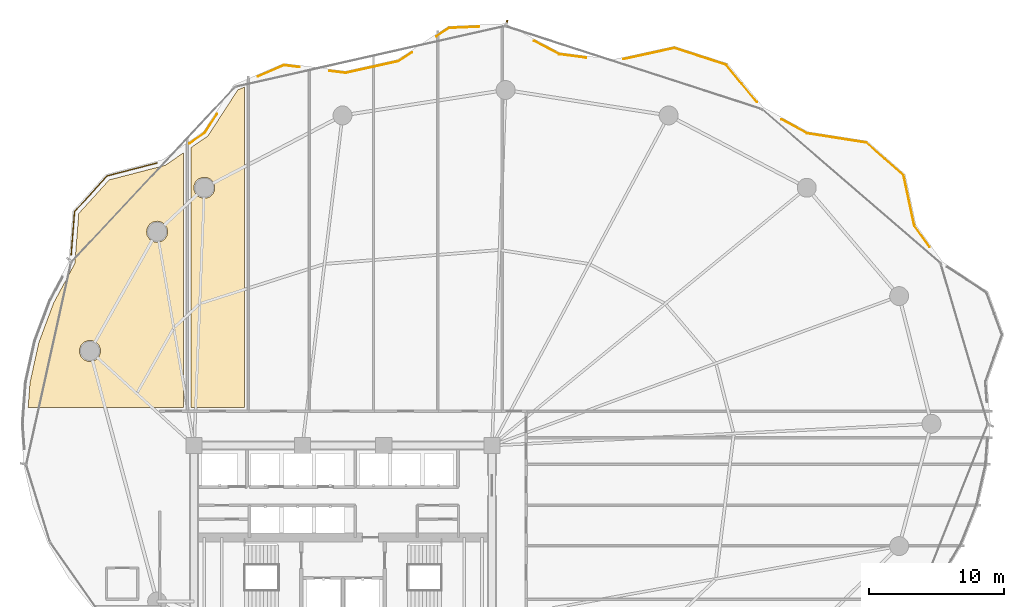
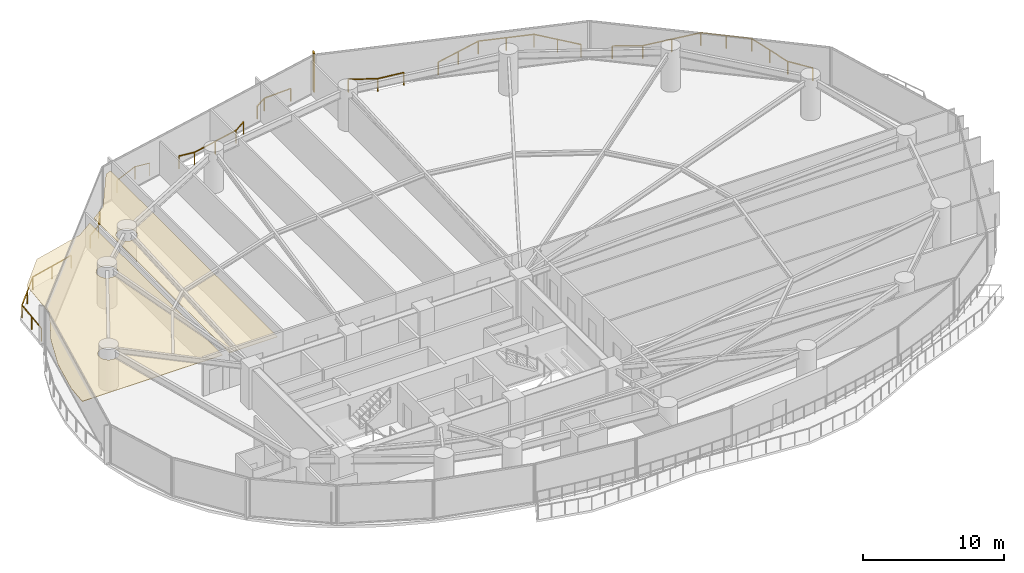
# One storey, part 32 of 33: 8 railings, 2 coverings, 1 shading device.
"""IFC4 building model written with IfcOpenShell, lengths in metres."""

from ifc_helpers import new_model, si_unit, direction, frame, origin, origin_2d, place, context, subcontext, project, spatial, polyline, rectangle, outline, extrude, material, layer, layer_set, type_object, element, save


model = new_model("IFC4")

# Units and contexts
model_context = context("Model", 3, precision=1e-05, world=origin(), true_north=direction((0.0, 1.0)))
body_context = subcontext(model_context, "Body", "Model", "MODEL_VIEW")
ifc_project = project(units=[si_unit("LENGTHUNIT", "METRE"), si_unit("AREAUNIT", "SQUARE_METRE"), si_unit("VOLUMEUNIT", "CUBIC_METRE"), si_unit("PLANEANGLEUNIT", "RADIAN"), si_unit("MASSUNIT", "GRAM", prefix="KILO")], contexts=[model_context])

# Site, building, storey
site_placement = place(None, origin())
site = spatial("IfcSite", under=ifc_project, at=site_placement, CompositionType="ELEMENT")
building_placement = place(site_placement, origin())
building = spatial("IfcBuilding", under=site, at=building_placement, Name="Kazevale Care Tower and Concert Hall", CompositionType="ELEMENT")
storey_placement = place(building_placement, frame((0.0, 0.0, 45.60009765625)))
storey = spatial("IfcBuildingStorey", under=building, at=storey_placement, Name="L11", CompositionType="ELEMENT", Elevation=45.60009765625)

# Coverings
ifc_material_1 = material(Name="Acoustic Plaster and Hinoki Wood", Category="wood")
ifc_layer = layer(ifc_material_1, 0.0400390625)
ifc_layer_set = layer_set([ifc_layer], Name="Acoustic Plaster and Hinoki Wood")
covering_type = type_object("IfcCoveringType", Name="Acoustic Perforated Wood-Gypsum Ceiling", PredefinedType="CEILING", material=ifc_layer_set)
covering_1_placement = place(storey_placement, frame((0.0, 0.0, 2.7099609375)))
element("IfcCovering", 1, at=covering_1_placement, inside=storey, type_object=covering_type, Name="clg:L11:1", PredefinedType="CEILING", context=body_context, shape_type="SweptSolid", body=[
    extrude(outline(polyline([(13.196044921875, 49.843017578125), (13.48291015625, 53.529052734375), (15.735107421875, 56.012939453125), (19.8798828125, 57.091064453125), (21.219970703125, 58.014892578125), (21.219970703125, 39.205078125), (9.7490234375, 39.205078125), (9.881103515625, 41.02392578125), (10.5400390625, 44.010986328125), (11.62890625, 46.925048828125), (13.196044921875, 49.843017578125)]), holes=[polyline([(19.990966796875, 52.47802734375), (19.822021484375, 52.73193359375), (19.568115234375, 52.90087890625), (19.27001953125, 52.9599609375), (18.971923828125, 52.90087890625), (18.718017578125, 52.73193359375), (18.549072265625, 52.47802734375), (18.489990234375, 52.179931640625), (18.549072265625, 51.882080078125), (18.718017578125, 51.6279296875), (18.971923828125, 51.458984375), (19.27001953125, 51.39990234375), (19.568115234375, 51.458984375), (19.822021484375, 51.6279296875), (19.990966796875, 51.882080078125), (20.050048828125, 52.179931640625), (19.990966796875, 52.47802734375)]), polyline([(15.074951171875, 43.531982421875), (14.958984375, 43.81298828125), (14.742919921875, 44.029052734375), (14.4619140625, 44.14501953125), (14.157958984375, 44.14501953125), (13.876953125, 44.029052734375), (13.660888671875, 43.81298828125), (13.544921875, 43.531982421875), (13.544921875, 43.22802734375), (13.660888671875, 42.947021484375), (13.876953125, 42.73095703125), (14.157958984375, 42.614990234375), (14.4619140625, 42.614990234375), (14.742919921875, 42.73095703125), (14.958984375, 42.947021484375), (15.074951171875, 43.22802734375), (15.074951171875, 43.531982421875)])]), origin(), (0.0, 0.0, 1.0), 0.0400390625),
])
covering_2_placement = place(storey_placement, frame((0.0, 0.0, 2.7099609375)))
element("IfcCovering", 2, at=covering_2_placement, inside=storey, type_object=covering_type, Name="clg:L11:2", PredefinedType="CEILING", context=body_context, shape_type="SweptSolid", body=[
    extrude(outline(polyline([(21.780029296875, 39.205078125), (21.780029296875, 58.39990234375), (23.014892578125, 59.2509765625), (25.22607421875, 62.654052734375), (25.719970703125, 62.866943359375), (25.719970703125, 39.205078125), (21.780029296875, 39.205078125)]), holes=[polyline([(23.52490234375, 55.58203125), (23.408935546875, 55.863037109375), (23.193115234375, 56.0791015625), (22.912109375, 56.195068359375), (22.60791015625, 56.195068359375), (22.326904296875, 56.0791015625), (22.111083984375, 55.863037109375), (21.9951171875, 55.58203125), (21.9951171875, 55.278076171875), (22.111083984375, 54.9970703125), (22.326904296875, 54.781005859375), (22.60791015625, 54.6650390625), (22.912109375, 54.6650390625), (23.193115234375, 54.781005859375), (23.408935546875, 54.9970703125), (23.52490234375, 55.278076171875), (23.52490234375, 55.58203125)])]), origin(), (0.0, 0.0, 1.0), 0.0400390625),
])

# Railings
ifc_material_2 = material(Name="Anodised Bronze Aluminium and Laminated Glass", Category="aluminium")
railing_type = type_object("IfcRailingType", Name="Balcony and Terrace Balustrade 1120", PredefinedType="BALUSTRADE", material=ifc_material_2)
railing_1_placement = place(storey_placement, frame((12.925048828125, 50.48291015625, 0.0)))
element("IfcRailing", 3, at=railing_1_placement, inside=storey, type_object=railing_type, Name="rail:L11:perim:2", PredefinedType="BALUSTRADE", context=body_context, shape_type="SweptSolid", body=[
    extrude(rectangle(XDim=0.048095703125, YDim=0.048095703125, at=origin_2d()), frame((0.0, 0.0, 1.09619140625), z_axis=(0.077457363228, 0.996995665428, 0.0), x_axis=(-0.996995665428, 0.077457363228, 0.0)), (0.0, 0.0, 1.0), 3.189697265625),
    extrude(rectangle(XDim=0.048095703125, YDim=0.048095703125, at=origin_2d()), frame((0.2470703125, 3.18017578125, 1.09619140625), z_axis=(0.67167834736, 0.740842896766, 0.0), x_axis=(-0.740842896766, 0.67167834736, 0.0)), (0.0, 0.0, 1.0), 3.55810546875),
    extrude(rectangle(XDim=0.048095703125, YDim=0.048095703125, at=origin_2d()), frame((2.636962890625, 5.816162109375, 1.09619140625), z_axis=(0.967833691326, 0.251590830384, 0.0), x_axis=(-0.251590830384, 0.967833691326, 0.0)), (0.0, 0.0, 1.0), 3.8271484375),
    extrude(rectangle(XDim=0.0419921875, YDim=0.0419921875, at=origin_2d()), origin(), (0.0, 0.0, 1.0), 1.072021484375),
    extrude(rectangle(XDim=0.0419921875, YDim=0.0419921875, at=origin_2d()), frame((0.12353515625, 1.590087890625, 0.0)), (0.0, 0.0, 1.0), 1.072021484375),
    extrude(rectangle(XDim=0.0419921875, YDim=0.0419921875, at=origin_2d()), frame((0.2470703125, 3.18017578125, 0.0)), (0.0, 0.0, 1.0), 1.072021484375),
    extrude(rectangle(XDim=0.0419921875, YDim=0.0419921875, at=origin_2d()), frame((1.44189453125, 4.498046875, 0.0)), (0.0, 0.0, 1.0), 1.072021484375),
    extrude(rectangle(XDim=0.0419921875, YDim=0.0419921875, at=origin_2d()), frame((2.636962890625, 5.816162109375, 0.0)), (0.0, 0.0, 1.0), 1.072021484375),
    extrude(rectangle(XDim=0.0419921875, YDim=0.0419921875, at=origin_2d()), frame((4.489013671875, 6.297607421875, 0.0)), (0.0, 0.0, 1.0), 1.072021484375),
    extrude(rectangle(XDim=0.0419921875, YDim=0.0419921875, at=origin_2d()), frame((6.341064453125, 6.779052734375, 0.0)), (0.0, 0.0, 1.0), 1.072021484375),
])
railing_2_placement = place(storey_placement, frame((21.65087890625, 58.699951171875, 0.0)))
element("IfcRailing", 4, at=railing_2_placement, inside=storey, type_object=railing_type, Name="rail:L11:perim:3", PredefinedType="BALUSTRADE", context=body_context, shape_type="SweptSolid", body=[
    extrude(rectangle(XDim=0.048095703125, YDim=0.048095703125, at=origin_2d()), frame((0.0, 0.0, 1.09619140625), z_axis=(0.823330292932, 0.56756253289, 0.0), x_axis=(-0.56756253289, 0.823330292932, 0.0)), (0.0, 0.0, 1.0), 1.37255859375),
    extrude(rectangle(XDim=0.048095703125, YDim=0.048095703125, at=origin_2d()), frame((1.130126953125, 0.779052734375, 1.09619140625), z_axis=(0.545340812874, 0.838214410407, 0.0), x_axis=(-0.838214410407, 0.545340812874, 0.0)), (0.0, 0.0, 1.0), 1.6796875),
    extrude(rectangle(XDim=0.0419921875, YDim=0.0419921875, at=origin_2d()), origin(), (0.0, 0.0, 1.0), 1.072021484375),
    extrude(rectangle(XDim=0.0419921875, YDim=0.0419921875, at=origin_2d()), frame((1.130126953125, 0.779052734375, 0.0)), (0.0, 0.0, 1.0), 1.072021484375),
    extrude(rectangle(XDim=0.0419921875, YDim=0.0419921875, at=origin_2d()), frame((2.046142578125, 2.18701171875, 0.0)), (0.0, 0.0, 1.0), 1.072021484375),
])
railing_3_placement = place(storey_placement, frame((26.70703125, 63.64306640625, 0.0)))
element("IfcRailing", 5, at=railing_3_placement, inside=storey, type_object=railing_type, Name="rail:L11:perim:4", PredefinedType="BALUSTRADE", context=body_context, shape_type="SweptSolid", body=[
    extrude(rectangle(XDim=0.048095703125, YDim=0.048095703125, at=origin_2d()), frame((0.0, 0.0, 1.09619140625), z_axis=(0.917761192616, 0.397132715007, 0.0), x_axis=(-0.397132715007, 0.917761192616, 0.0)), (0.0, 0.0, 1.0), 2.107421875),
    extrude(rectangle(XDim=0.048095703125, YDim=0.048095703125, at=origin_2d()), frame((1.93408203125, 0.8369140625, 1.09619140625), z_axis=(0.992136908777, -0.125157317977, 0.0), x_axis=(0.125157317977, 0.992136908777, 0.0)), (0.0, 0.0, 1.0), 1.15087890625),
    extrude(rectangle(XDim=0.0419921875, YDim=0.0419921875, at=origin_2d()), origin(), (0.0, 0.0, 1.0), 1.072021484375),
    extrude(rectangle(XDim=0.0419921875, YDim=0.0419921875, at=origin_2d()), frame((1.93408203125, 0.8369140625, 0.0)), (0.0, 0.0, 1.0), 1.072021484375),
    extrude(rectangle(XDim=0.0419921875, YDim=0.0419921875, at=origin_2d()), frame((3.075927734375, 0.69287109375, 0.0)), (0.0, 0.0, 1.0), 1.072021484375),
])
railing_4_placement = place(storey_placement, frame((32.001953125, 64.05810546875, 0.0)))
element("IfcRailing", 6, at=railing_4_placement, inside=storey, type_object=railing_type, Name="rail:L11:perim:5", PredefinedType="BALUSTRADE", context=body_context, shape_type="SweptSolid", body=[
    extrude(rectangle(XDim=0.048095703125, YDim=0.048095703125, at=origin_2d()), frame((0.0, 0.0, 1.09619140625), z_axis=(0.992119329578, -0.125296591644, 0.0), x_axis=(0.125296591644, 0.992119329578, 0.0)), (0.0, 0.0, 1.0), 1.1904296875),
    extrude(rectangle(XDim=0.048095703125, YDim=0.048095703125, at=origin_2d()), frame((1.18115234375, -0.149169921875, 1.09619140625), z_axis=(0.976178445537, 0.216969220097, 0.0), x_axis=(-0.216969220097, 0.976178445537, 0.0)), (0.0, 0.0, 1.0), 4.001220703125),
    extrude(rectangle(XDim=0.048095703125, YDim=0.048095703125, at=origin_2d()), frame((5.087158203125, 0.718994140625, 1.09619140625), z_axis=(0.835832367502, 0.548984747908, 0.0), x_axis=(-0.548984747908, 0.835832367502, 0.0)), (0.0, 0.0, 1.0), 1.185546875),
    extrude(rectangle(XDim=0.0419921875, YDim=0.0419921875, at=origin_2d()), origin(), (0.0, 0.0, 1.0), 1.072021484375),
    extrude(rectangle(XDim=0.0419921875, YDim=0.0419921875, at=origin_2d()), frame((1.18115234375, -0.149169921875, 0.0)), (0.0, 0.0, 1.0), 1.072021484375),
    extrude(rectangle(XDim=0.0419921875, YDim=0.0419921875, at=origin_2d()), frame((3.13427734375, 0.284912109375, 0.0)), (0.0, 0.0, 1.0), 1.072021484375),
    extrude(rectangle(XDim=0.0419921875, YDim=0.0419921875, at=origin_2d()), frame((5.087158203125, 0.718994140625, 0.0)), (0.0, 0.0, 1.0), 1.072021484375),
    extrude(rectangle(XDim=0.0419921875, YDim=0.0419921875, at=origin_2d()), frame((6.078125, 1.369873046875, 0.0)), (0.0, 0.0, 1.0), 1.072021484375),
])
railing_5_placement = place(storey_placement, frame((39.885986328125, 66.614013671875, 0.0)))
element("IfcRailing", 7, at=railing_5_placement, inside=storey, type_object=railing_type, Name="rail:L11:perim:6", PredefinedType="BALUSTRADE", context=body_context, shape_type="SweptSolid", body=[
    extrude(rectangle(XDim=0.048095703125, YDim=0.048095703125, at=origin_2d()), frame((0.0, 0.0, 1.09619140625), z_axis=(0.835903517622, 0.548876406149, 0.0), x_axis=(-0.548876406149, 0.835903517622, 0.0)), (0.0, 0.0, 1.0), 1.115234375),
    extrude(rectangle(XDim=0.048095703125, YDim=0.048095703125, at=origin_2d()), frame((0.93212890625, 0.612060546875, 1.09619140625), z_axis=(0.999043859493, 0.043719181241, 0.0), x_axis=(-0.043719181241, 0.999043859493, 0.0)), (0.0, 0.0, 1.0), 2.217041015625),
    extrude(rectangle(XDim=0.0419921875, YDim=0.0419921875, at=origin_2d()), origin(), (0.0, 0.0, 1.0), 1.072021484375),
    extrude(rectangle(XDim=0.0419921875, YDim=0.0419921875, at=origin_2d()), frame((0.93212890625, 0.612060546875, 0.0)), (0.0, 0.0, 1.0), 1.072021484375),
    extrude(rectangle(XDim=0.0419921875, YDim=0.0419921875, at=origin_2d()), frame((3.14697265625, 0.708984375, 0.0)), (0.0, 0.0, 1.0), 1.072021484375),
])
railing_6_placement = place(storey_placement, frame((47.115966796875, 66.27001953125, 0.0)))
element("IfcRailing", 8, at=railing_6_placement, inside=storey, type_object=railing_type, Name="rail:L11:perim:7", PredefinedType="BALUSTRADE", context=body_context, shape_type="SweptSolid", body=[
    extrude(rectangle(XDim=0.048095703125, YDim=0.048095703125, at=origin_2d()), frame((0.0, 0.0, 1.09619140625), z_axis=(0.883776562896, -0.467909165198, 0.0), x_axis=(0.467909165198, 0.883776562896, 0.0)), (0.0, 0.0, 1.0), 2.09228515625),
    extrude(rectangle(XDim=0.048095703125, YDim=0.048095703125, at=origin_2d()), frame((1.84912109375, -0.97900390625, 1.09619140625), z_axis=(0.991534086176, -0.129846663223, 0.0), x_axis=(0.129846663223, 0.991534086176, 0.0)), (0.0, 0.0, 1.0), 1.994873046875),
    extrude(rectangle(XDim=0.0419921875, YDim=0.0419921875, at=origin_2d()), origin(), (0.0, 0.0, 1.0), 1.072021484375),
    extrude(rectangle(XDim=0.0419921875, YDim=0.0419921875, at=origin_2d()), frame((1.84912109375, -0.97900390625, 0.0)), (0.0, 0.0, 1.0), 1.072021484375),
    extrude(rectangle(XDim=0.0419921875, YDim=0.0419921875, at=origin_2d()), frame((3.8271484375, -1.238037109375, 0.0)), (0.0, 0.0, 1.0), 1.072021484375),
])
railing_7_placement = place(storey_placement, frame((53.72509765625, 64.929931640625, 0.0)))
element("IfcRailing", 9, at=railing_7_placement, inside=storey, type_object=railing_type, Name="rail:L11:perim:8", PredefinedType="BALUSTRADE", context=body_context, shape_type="SweptSolid", body=[
    extrude(rectangle(XDim=0.048095703125, YDim=0.048095703125, at=origin_2d()), frame((0.0, 0.0, 1.09619140625), z_axis=(0.976904182087, 0.213677839331, 0.0), x_axis=(-0.213677839331, 0.976904182087, 0.0)), (0.0, 0.0, 1.0), 3.82421875),
    extrude(rectangle(XDim=0.048095703125, YDim=0.048095703125, at=origin_2d()), frame((3.73583984375, 0.817138671875, 1.09619140625), z_axis=(0.951224739484, -0.308498776326, 0.0), x_axis=(0.308498776326, 0.951224739484, 0.0)), (0.0, 0.0, 1.0), 4.032958984375),
    extrude(rectangle(XDim=0.048095703125, YDim=0.048095703125, at=origin_2d()), frame((7.572021484375, -0.427001953125, 1.09619140625), z_axis=(0.63401399695, -0.773321570675, 0.0), x_axis=(0.773321570675, 0.63401399695, 0.0)), (0.0, 0.0, 1.0), 3.56103515625),
    extrude(rectangle(XDim=0.0419921875, YDim=0.0419921875, at=origin_2d()), origin(), (0.0, 0.0, 1.0), 1.072021484375),
    extrude(rectangle(XDim=0.0419921875, YDim=0.0419921875, at=origin_2d()), frame((1.867919921875, 0.40869140625, 0.0)), (0.0, 0.0, 1.0), 1.072021484375),
    extrude(rectangle(XDim=0.0419921875, YDim=0.0419921875, at=origin_2d()), frame((3.73583984375, 0.817138671875, 0.0)), (0.0, 0.0, 1.0), 1.072021484375),
    extrude(rectangle(XDim=0.0419921875, YDim=0.0419921875, at=origin_2d()), frame((5.65380859375, 0.195068359375, 0.0)), (0.0, 0.0, 1.0), 1.072021484375),
    extrude(rectangle(XDim=0.0419921875, YDim=0.0419921875, at=origin_2d()), frame((7.572021484375, -0.427001953125, 0.0)), (0.0, 0.0, 1.0), 1.072021484375),
    extrude(rectangle(XDim=0.0419921875, YDim=0.0419921875, at=origin_2d()), frame((8.700927734375, -1.803955078125, 0.0)), (0.0, 0.0, 1.0), 1.072021484375),
    extrude(rectangle(XDim=0.0419921875, YDim=0.0419921875, at=origin_2d()), frame((9.829833984375, -3.180908203125, 0.0)), (0.0, 0.0, 1.0), 1.072021484375),
])
railing_8_placement = place(storey_placement, frame((65.375, 60.48291015625, 0.0)))
element("IfcRailing", 10, at=railing_8_placement, inside=storey, type_object=railing_type, Name="rail:L11:perim:9", PredefinedType="BALUSTRADE", context=body_context, shape_type="SweptSolid", body=[
    extrude(rectangle(XDim=0.048095703125, YDim=0.048095703125, at=origin_2d()), frame((0.0, 0.0, 1.09619140625), z_axis=(0.877408218259, -0.479744534656, 0.0), x_axis=(0.479744534656, 0.877408218259, 0.0)), (0.0, 0.0, 1.0), 2.165283203125),
    extrude(rectangle(XDim=0.048095703125, YDim=0.048095703125, at=origin_2d()), frame((1.89990234375, -1.038818359375, 1.09619140625), z_axis=(0.98800015678, -0.154452873728, 0.0), x_axis=(0.154452873728, 0.98800015678, 0.0)), (0.0, 0.0, 1.0), 4.41015625),
    extrude(rectangle(XDim=0.048095703125, YDim=0.048095703125, at=origin_2d()), frame((6.257080078125, -1.719970703125, 1.09619140625), z_axis=(0.752130585126, -0.65901409918, 0.0), x_axis=(0.65901409918, 0.752130585126, 0.0)), (0.0, 0.0, 1.0), 3.662841796875),
    extrude(rectangle(XDim=0.048095703125, YDim=0.048095703125, at=origin_2d()), frame((9.011962890625, -4.1337890625, 1.09619140625), z_axis=(0.208802033864, -0.977957928877, 0.0), x_axis=(0.977957928877, 0.208802033864, 0.0)), (0.0, 0.0, 1.0), 3.80712890625),
    extrude(rectangle(XDim=0.048095703125, YDim=0.048095703125, at=origin_2d()), frame((9.806884765625, -7.85693359375, 1.09619140625), z_axis=(0.582711263324, -0.812679262437, 0.0), x_axis=(0.812679262437, 0.582711263324, 0.0)), (0.0, 0.0, 1.0), 1.94287109375),
    extrude(rectangle(XDim=0.0419921875, YDim=0.0419921875, at=origin_2d()), origin(), (0.0, 0.0, 1.0), 1.072021484375),
    extrude(rectangle(XDim=0.0419921875, YDim=0.0419921875, at=origin_2d()), frame((1.89990234375, -1.038818359375, 0.0)), (0.0, 0.0, 1.0), 1.072021484375),
    extrude(rectangle(XDim=0.0419921875, YDim=0.0419921875, at=origin_2d()), frame((4.07861328125, -1.37939453125, 0.0)), (0.0, 0.0, 1.0), 1.072021484375),
    extrude(rectangle(XDim=0.0419921875, YDim=0.0419921875, at=origin_2d()), frame((6.257080078125, -1.719970703125, 0.0)), (0.0, 0.0, 1.0), 1.072021484375),
    extrude(rectangle(XDim=0.0419921875, YDim=0.0419921875, at=origin_2d()), frame((7.634521484375, -2.9267578125, 0.0)), (0.0, 0.0, 1.0), 1.072021484375),
    extrude(rectangle(XDim=0.0419921875, YDim=0.0419921875, at=origin_2d()), frame((9.011962890625, -4.1337890625, 0.0)), (0.0, 0.0, 1.0), 1.072021484375),
    extrude(rectangle(XDim=0.0419921875, YDim=0.0419921875, at=origin_2d()), frame((9.409423828125, -5.995361328125, 0.0)), (0.0, 0.0, 1.0), 1.072021484375),
    extrude(rectangle(XDim=0.0419921875, YDim=0.0419921875, at=origin_2d()), frame((9.806884765625, -7.85693359375, 0.0)), (0.0, 0.0, 1.0), 1.072021484375),
    extrude(rectangle(XDim=0.0419921875, YDim=0.0419921875, at=origin_2d()), frame((10.93896484375, -9.435791015625, 0.0)), (0.0, 0.0, 1.0), 1.072021484375),
])

# Shading device
ifc_material_3 = material(Name="Honed Ochre Limestone", Category="masonry")
shading_device_type = type_object("IfcShadingDeviceType", Name="Vertical Honed Limestone Fin FIN-01", PredefinedType="USERDEFINED", material=ifc_material_3)
shading_device_placement = place(storey_placement, frame((45.08203125, 67.618408203125, 0.0), z_axis=(0.0, 0.0, 1.0), x_axis=(0.30785482931, 0.951433341896, 0.0)))
element("IfcShadingDevice", 11, at=shading_device_placement, inside=storey, type_object=shading_device_type, Name="cw:L11:f16:fin", ObjectType="FIN", PredefinedType="USERDEFINED", context=body_context, shape_type="SweptSolid", body=[
    extrude(rectangle(XDim=0.3798828125, YDim=0.1201171875, at=origin_2d()), origin(), (0.0, 0.0, 1.0), 3.360107421875),
])

save(model, "model.ifc")
